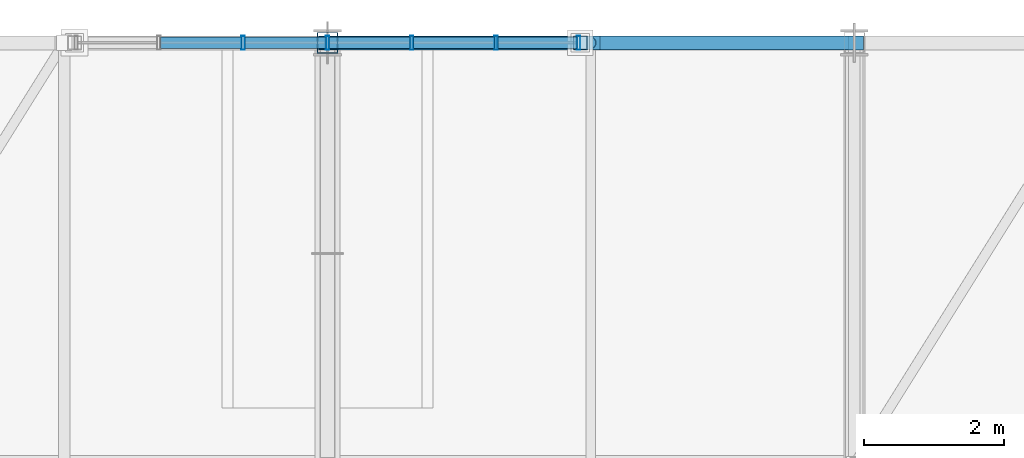
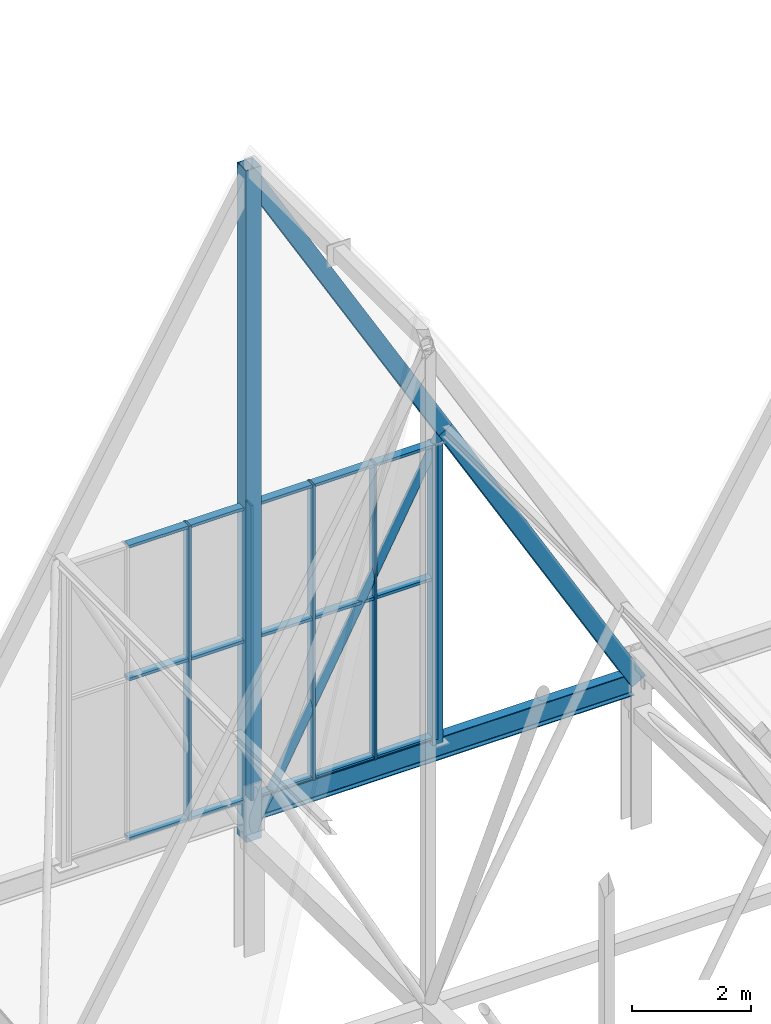
# One storey, part 164 of 324: 25 members, 1 beam, 1 element without a shape of its own.
"""IFC4 building model written with IfcOpenShell, lengths in metres."""

import ifcopenshell
import ifcopenshell.guid

model = None  # the IFC model being written
_history = None  # IfcOwnerHistory: only IFC2X3 demands one
_inside = {}  # id of a spatial element -> (the spatial element, [elements in it])
_under = {}  # id of a project, library or spatial element -> (it, [spatial elements below it])
_declared = {}  # id of a project -> (the project, [libraries it declares])
_typed = {}  # id of a type object -> (the type object, [elements of that type])
_made_of = {}  # id of a material, layer set ... -> (it, [elements and type objects made of it])


def new_model(schema):
    """Start an empty IFC model of exactly this schema.

    Asked for "IFC4X3", IfcOpenShell would pick the latest addendum, in which some entities
    have other attributes; the version numbers below select the first issue.
    IFC2X3 requires an IfcOwnerHistory on every rooted entity: one is made here for all.
    """
    global model, _history
    if schema == "IFC4X3":
        model = ifcopenshell.file(schema_version=(4, 3, 0, 0))
    else:
        model = ifcopenshell.file(schema=schema)
    _inside.clear()
    _under.clear()
    _declared.clear()
    _typed.clear()
    _made_of.clear()
    _history = None
    if model.schema == "IFC2X3":
        org = make("IfcOrganization", Name="unknown")
        user = make(
            "IfcPersonAndOrganization",
            ThePerson=make("IfcPerson", FamilyName="unknown"),
            TheOrganization=org,
        )
        app = make(
            "IfcApplication",
            ApplicationDeveloper=org,
            Version="unknown",
            ApplicationFullName="unknown",
            ApplicationIdentifier="unknown",
        )
        _history = make(
            "IfcOwnerHistory",
            OwningUser=user,
            OwningApplication=app,
            ChangeAction="ADDED",
            CreationDate=0,
        )
    return model


def make(cls, **values):
    """One entity of the class cls with the attributes given. An attribute that is None is left unset."""
    return model.create_entity(
        cls, **{name: value for name, value in values.items() if value is not None}
    )


def rooted(cls, **values):
    """An entity with a GlobalId (a new one), such as an element, a storey or a relation."""
    return make(cls, GlobalId=ifcopenshell.guid.new(), OwnerHistory=_history, **values)


def si_unit(unit_type, name, prefix=None):
    """IfcSIUnit, for example si_unit("LENGTHUNIT", "METRE", prefix="MILLI")."""
    return make("IfcSIUnit", UnitType=unit_type, Prefix=prefix, Name=name)


def assignment(units):
    """IfcUnitAssignment: the units of a project."""
    return None if units is None else make("IfcUnitAssignment", Units=units)


def point(xyz):
    """IfcCartesianPoint."""
    return None if xyz is None else make("IfcCartesianPoint", Coordinates=xyz)


def direction(xyz):
    """IfcDirection."""
    return None if xyz is None else make("IfcDirection", DirectionRatios=xyz)


def frame(location, z_axis=None, x_axis=None):
    """IfcAxis2Placement3D, a coordinate frame: its origin and axes. An axis left out is left unset."""
    return make(
        "IfcAxis2Placement3D",
        Location=point(location),
        Axis=direction(z_axis),
        RefDirection=direction(x_axis),
    )


def frame_2d(location, x_axis=None):
    """IfcAxis2Placement2D, a coordinate frame in the plane: its origin and x axis."""
    return make(
        "IfcAxis2Placement2D", Location=point(location), RefDirection=direction(x_axis)
    )


def origin():
    """The frame at (0, 0, 0) with its axes left unset."""
    return frame((0.0, 0.0, 0.0))


def origin_2d():
    """The frame at (0, 0) in the plane with its x axis left unset."""
    return frame_2d((0.0, 0.0))


def place(relative_to, where):
    """IfcLocalPlacement: puts the frame where relative to a parent placement (None: the world)."""
    return make(
        "IfcLocalPlacement", PlacementRelTo=relative_to, RelativePlacement=where
    )


def context(
    kind, dimensions, precision=None, world=None, true_north=None, identifier=None
):
    """IfcGeometricRepresentationContext, for example the 3D "Model" context."""
    return make(
        "IfcGeometricRepresentationContext",
        ContextIdentifier=identifier,
        ContextType=kind,
        CoordinateSpaceDimension=dimensions,
        Precision=precision,
        WorldCoordinateSystem=world,
        TrueNorth=true_north,
    )


def subcontext(parent, identifier, kind, view, scale=None):
    """IfcGeometricRepresentationSubContext, for example "Body" below "Model"."""
    return make(
        "IfcGeometricRepresentationSubContext",
        ContextIdentifier=identifier,
        ContextType=kind,
        ParentContext=parent,
        TargetScale=scale,
        TargetView=view,
    )


def project(units=None, contexts=None):
    """IfcProject with its units and contexts."""
    return rooted(
        "IfcProject",
        Name="project",
        RepresentationContexts=contexts,
        UnitsInContext=assignment(units),
    )


def spatial(cls, under=None, at=None, **own):
    """A site, building, storey or space (cls), placed at a placement, below another one or the project."""
    s = rooted(cls, ObjectPlacement=at, **own)
    if under is not None:
        _under.setdefault(under.id(), (under, []))[1].append(s)
    return s


def profile(cls, at=None, kind="AREA", **sizes):
    """A parametric profile (cls). Its sizes go by their IFC names, for example OverallWidth=200.0."""
    return make(cls, ProfileType=kind, Position=at, **sizes)


def hollow_rectangle(**sizes):
    """IfcRectangleHollowProfileDef."""
    return profile("IfcRectangleHollowProfileDef", **sizes)


def hollow_circle(**sizes):
    """IfcCircleHollowProfileDef."""
    return profile("IfcCircleHollowProfileDef", **sizes)


def i_section(**sizes):
    """IfcIShapeProfileDef."""
    return profile("IfcIShapeProfileDef", **sizes)


def extrude(swept, where, along, depth):
    """IfcExtrudedAreaSolid: the profile swept, set in the frame where, extruded along a direction by depth."""
    return make(
        "IfcExtrudedAreaSolid",
        SweptArea=swept,
        Position=where,
        ExtrudedDirection=direction(along),
        Depth=depth,
    )


def shape(context_of_items, identifier, shape_type, items):
    """IfcShapeRepresentation: the items that make up one representation, for example the "Body"."""
    return make(
        "IfcShapeRepresentation",
        ContextOfItems=context_of_items,
        RepresentationIdentifier=identifier,
        RepresentationType=shape_type,
        Items=items,
    )


def material(Name=None, Category=None):
    """IfcMaterial."""
    return make("IfcMaterial", Name=Name, Category=Category)


def layer(
    of_material, thickness, ventilated=None, Name=None, Category=None, Priority=None
):
    """IfcMaterialLayer: one layer of a wall or slab, of a material (None: an air gap)."""
    return make(
        "IfcMaterialLayer",
        Material=of_material,
        LayerThickness=thickness,
        IsVentilated=ventilated,
        Name=Name,
        Category=Category,
        Priority=Priority,
    )


def layer_set(layers, Name=None):
    """IfcMaterialLayerSet."""
    return make("IfcMaterialLayerSet", MaterialLayers=layers, LayerSetName=Name)


def material_profile(
    of_material, cross_section, Name=None, Category=None, Priority=None
):
    """IfcMaterialProfile: a cross section and its material."""
    return make(
        "IfcMaterialProfile",
        Name=Name,
        Material=of_material,
        Profile=cross_section,
        Priority=Priority,
        Category=Category,
    )


def profile_set(profiles, Name=None, composite=None):
    """IfcMaterialProfileSet."""
    return make(
        "IfcMaterialProfileSet",
        Name=Name,
        MaterialProfiles=profiles,
        CompositeProfile=composite,
    )


def made_of(thing, what):
    """Note that an element or type object is made of a material, layer set ...; save() writes the relation."""
    if what is not None:
        _made_of.setdefault(what.id(), (what, []))[1].append(thing)
    return thing


def type_object(cls, material=None, **own):
    """A type object (cls), such as IfcWallType, which elements share."""
    return made_of(rooted(cls, **own), material)


def element(
    cls,
    number,
    at=None,
    inside=None,
    cuts=None,
    type_object=None,
    material=None,
    context=None,
    identifier="Body",
    shape_type=None,
    held_by="IfcProductDefinitionShape",
    body=None,
    shapes=None,
    **own,
):
    """One element of the class cls, such as IfcWall. Its Tag is "e" and its number.

    at: its placement. inside: the storey or other place that contains it. cuts: it is an
    opening in that element (IfcRelVoidsElement). A single representation is given by context,
    identifier, shape_type and body (its items); several are given by shapes. held_by: the class
    of the entity that holds the representations. save() writes the other relations.
    """
    e = rooted(cls, Tag="e%d" % number, ObjectPlacement=at, **own)
    if body is not None:
        shapes = [shape(context, identifier, shape_type, body)]
    if shapes is not None:
        e.Representation = make(held_by, Representations=shapes)
    if inside is not None:
        _inside.setdefault(inside.id(), (inside, []))[1].append(e)
    if cuts is not None:
        rooted(
            "IfcRelVoidsElement", RelatingBuildingElement=cuts, RelatedOpeningElement=e
        )
    if type_object is not None:
        _typed.setdefault(type_object.id(), (type_object, []))[1].append(e)
    return made_of(e, material)


def aggregate(whole, parts):
    """IfcRelAggregates: a whole, such as a stair, and the parts it consists of."""
    return rooted("IfcRelAggregates", RelatingObject=whole, RelatedObjects=parts)


def save(model, path):
    """Write the relations noted so far, then the file.

    IfcRelAggregates (storeys below a building ...), IfcRelContainedInSpatialStructure (elements
    in a storey), IfcRelDefinesByType, IfcRelAssociatesMaterial and IfcRelDeclares: one each for
    every whole, place, type object, material and project.
    """
    for whole, parts in _under.values():
        aggregate(whole, parts)
    for where, things in _inside.values():
        rooted(
            "IfcRelContainedInSpatialStructure",
            RelatedElements=things,
            RelatingStructure=where,
        )
    for kind, things in _typed.values():
        rooted("IfcRelDefinesByType", RelatedObjects=things, RelatingType=kind)
    for what, things in _made_of.values():
        rooted("IfcRelAssociatesMaterial", RelatedObjects=things, RelatingMaterial=what)
    for by, libraries in _declared.values():
        rooted("IfcRelDeclares", RelatingContext=by, RelatedDefinitions=libraries)
    model.write(path)


model = new_model("IFC4")

# Units and contexts
model_context = context("Model", 3, precision=1e-05, world=origin(), true_north=direction((0.0, 1.0)))
body_context = subcontext(model_context, "Body", "Model", "MODEL_VIEW")
ifc_project = project(units=[si_unit("LENGTHUNIT", "METRE"), si_unit("AREAUNIT", "SQUARE_METRE"), si_unit("VOLUMEUNIT", "CUBIC_METRE"), si_unit("PLANEANGLEUNIT", "RADIAN"), si_unit("MASSUNIT", "GRAM", prefix="KILO")], contexts=[model_context])

# Site, building, storey
site_placement = place(None, origin())
site = spatial("IfcSite", under=ifc_project, at=site_placement, CompositionType="ELEMENT")
building_placement = place(site_placement, origin())
building = spatial("IfcBuilding", under=site, at=building_placement, Name="Solvenia Promenade Tram Depot", CompositionType="ELEMENT")
storey_placement = place(building_placement, frame((0.0, 0.0, 4.5)))
storey = spatial("IfcBuildingStorey", under=building, at=storey_placement, Name="L01", CompositionType="ELEMENT", Elevation=4.5)

# Curtain wall, members
ifc_material_1 = material(Name="Anodized aluminium AW-6063 T6", Category="aluminium")
ifc_layer = layer(ifc_material_1, 0.14990234375, Name="Anodized aluminium AW-6063 T6", Category="aluminium")
ifc_layer_set = layer_set([ifc_layer], Name="Anodized aluminium AW-6063 T6")
curtain_wall_type = type_object("IfcCurtainWallType", Name="CW-Gable-1200", PredefinedType="NOTDEFINED", material=ifc_layer_set)
curtain_wall_placement = place(storey_placement, origin())
curtain_wall = element("IfcCurtainWall", 1, at=curtain_wall_placement, inside=storey, type_object=curtain_wall_type, Name="North Zigzag Gable 07 Peak Glazing", PredefinedType="NOTDEFINED")
ifc_material_profile_1 = material_profile(ifc_material_1, hollow_rectangle(XDim=0.199951171875, YDim=0.048095703125, WallThickness=0.00390625, at=origin_2d()), Name="ALU-M3", Category="aluminium")
ifc_profile_set_1 = profile_set([ifc_material_profile_1], Name="Anodized aluminium AW-6063 T6")
member_type_1 = type_object("IfcMemberType", Name="CWM-Mullion-3", PredefinedType="MULLION", material=ifc_profile_set_1)
member_1_placement = place(storey_placement, frame((96.300048828125, 126.0, 3.10009765625), z_axis=(0.0, 0.0, 1.0), x_axis=(0.0, 1.0, 0.0)))
member_1 = element("IfcMember", 2, at=member_1_placement, type_object=member_type_1, Name="CW-3 mullion 3", PredefinedType="MULLION", context=body_context, shape_type="SweptSolid", body=[
    extrude(hollow_rectangle(XDim=0.199951171875, YDim=0.048095703125, WallThickness=0.00390625, at=origin_2d()), origin(), (0.0, 0.0, 1.0), 6.0498046875),
])
member_2_placement = place(storey_placement, frame((97.5, 126.0, 3.10009765625), z_axis=(0.0, 0.0, 1.0), x_axis=(0.0, 1.0, 0.0)))
member_2 = element("IfcMember", 3, at=member_2_placement, type_object=member_type_1, Name="CW-3 mullion 4", PredefinedType="MULLION", context=body_context, shape_type="SweptSolid", body=[
    extrude(hollow_rectangle(XDim=0.199951171875, YDim=0.048095703125, WallThickness=0.00390625, at=origin_2d()), origin(), (0.0, 0.0, 1.0), 6.0498046875),
])
member_3_placement = place(storey_placement, frame((98.699951171875, 126.0, 3.10009765625), z_axis=(0.0, 0.0, 1.0), x_axis=(0.0, 1.0, 0.0)))
member_3 = element("IfcMember", 4, at=member_3_placement, type_object=member_type_1, Name="CW-3 mullion 5", PredefinedType="MULLION", context=body_context, shape_type="SweptSolid", body=[
    extrude(hollow_rectangle(XDim=0.199951171875, YDim=0.048095703125, WallThickness=0.00390625, at=origin_2d()), origin(), (0.0, 0.0, 1.0), 6.0498046875),
])
member_4_placement = place(storey_placement, frame((99.89990234375, 126.0, 3.10009765625), z_axis=(0.0, 0.0, 1.0), x_axis=(0.0, 1.0, 0.0)))
member_4 = element("IfcMember", 5, at=member_4_placement, type_object=member_type_1, Name="CW-3 mullion 6", PredefinedType="MULLION", context=body_context, shape_type="SweptSolid", body=[
    extrude(hollow_rectangle(XDim=0.199951171875, YDim=0.048095703125, WallThickness=0.00390625, at=origin_2d()), origin(), (0.0, 0.0, 1.0), 6.0498046875),
])
member_5_placement = place(storey_placement, frame((101.075927734375, 126.0, 3.10009765625), z_axis=(0.0, 0.0, 1.0), x_axis=(0.0, 1.0, 0.0)))
member_5 = element("IfcMember", 6, at=member_5_placement, type_object=member_type_1, Name="CW-3 mullion 7", PredefinedType="MULLION", context=body_context, shape_type="SweptSolid", body=[
    extrude(hollow_rectangle(XDim=0.199951171875, YDim=0.048095703125, WallThickness=0.00390625, at=origin_2d()), origin(), (0.0, 0.0, 1.0), 6.0498046875),
])
ifc_material_profile_2 = material_profile(ifc_material_1, hollow_rectangle(XDim=0.159912109375, YDim=0.05810546875, WallThickness=0.00390625, at=origin_2d()), Name="ALU-T3", Category="aluminium")
ifc_profile_set_2 = profile_set([ifc_material_profile_2], Name="Anodized aluminium AW-6063 T6")
member_type_2 = type_object("IfcMemberType", Name="CWT-Transom-3", PredefinedType="USERDEFINED", material=ifc_profile_set_2)
member_6_placement = place(storey_placement, frame((95.1240234375, 126.0, 3.12890625), z_axis=(1.0, 0.0, 0.0), x_axis=(0.0, 1.0, 0.0)))
member_6 = element("IfcMember", 7, at=member_6_placement, type_object=member_type_2, Name="CW-3 transom 2.1", ObjectType="TRANSOM", PredefinedType="USERDEFINED", context=body_context, shape_type="SweptSolid", body=[
    extrude(hollow_rectangle(XDim=0.159912109375, YDim=0.05810546875, WallThickness=0.00390625, at=origin_2d()), origin(), (0.0, 0.0, 1.0), 1.15185546875),
])
member_7_placement = place(storey_placement, frame((95.1240234375, 126.0, 6.39990234375), z_axis=(1.0, 0.0, 0.0), x_axis=(0.0, 1.0, 0.0)))
member_7 = element("IfcMember", 8, at=member_7_placement, type_object=member_type_2, Name="CW-3 transom 2.2", ObjectType="TRANSOM", PredefinedType="USERDEFINED", context=body_context, shape_type="SweptSolid", body=[
    extrude(hollow_rectangle(XDim=0.159912109375, YDim=0.05810546875, WallThickness=0.00390625, at=origin_2d()), origin(), (0.0, 0.0, 1.0), 1.15185546875),
])
member_8_placement = place(storey_placement, frame((95.1240234375, 126.0, 9.12109375), z_axis=(1.0, 0.0, 0.0), x_axis=(0.0, 1.0, 0.0)))
member_8 = element("IfcMember", 9, at=member_8_placement, type_object=member_type_2, Name="CW-3 transom 2.3", ObjectType="TRANSOM", PredefinedType="USERDEFINED", context=body_context, shape_type="SweptSolid", body=[
    extrude(hollow_rectangle(XDim=0.159912109375, YDim=0.05810546875, WallThickness=0.00390625, at=origin_2d()), origin(), (0.0, 0.0, 1.0), 1.15185546875),
])
member_9_placement = place(storey_placement, frame((96.323974609375, 126.0, 3.12890625), z_axis=(1.0, 0.0, 0.0), x_axis=(0.0, 1.0, 0.0)))
member_9 = element("IfcMember", 10, at=member_9_placement, type_object=member_type_2, Name="CW-3 transom 3.1", ObjectType="TRANSOM", PredefinedType="USERDEFINED", context=body_context, shape_type="SweptSolid", body=[
    extrude(hollow_rectangle(XDim=0.159912109375, YDim=0.05810546875, WallThickness=0.00390625, at=origin_2d()), origin(), (0.0, 0.0, 1.0), 1.152099609375),
])
member_10_placement = place(storey_placement, frame((96.323974609375, 126.0, 6.39990234375), z_axis=(1.0, 0.0, 0.0), x_axis=(0.0, 1.0, 0.0)))
member_10 = element("IfcMember", 11, at=member_10_placement, type_object=member_type_2, Name="CW-3 transom 3.2", ObjectType="TRANSOM", PredefinedType="USERDEFINED", context=body_context, shape_type="SweptSolid", body=[
    extrude(hollow_rectangle(XDim=0.159912109375, YDim=0.05810546875, WallThickness=0.00390625, at=origin_2d()), origin(), (0.0, 0.0, 1.0), 1.152099609375),
])
member_11_placement = place(storey_placement, frame((96.323974609375, 126.0, 9.12109375), z_axis=(1.0, 0.0, 0.0), x_axis=(0.0, 1.0, 0.0)))
member_11 = element("IfcMember", 12, at=member_11_placement, type_object=member_type_2, Name="CW-3 transom 3.3", ObjectType="TRANSOM", PredefinedType="USERDEFINED", context=body_context, shape_type="SweptSolid", body=[
    extrude(hollow_rectangle(XDim=0.159912109375, YDim=0.05810546875, WallThickness=0.00390625, at=origin_2d()), origin(), (0.0, 0.0, 1.0), 1.152099609375),
])
member_12_placement = place(storey_placement, frame((97.52392578125, 126.0, 3.12890625), z_axis=(1.0, 0.0, 0.0), x_axis=(0.0, 1.0, 0.0)))
member_12 = element("IfcMember", 13, at=member_12_placement, type_object=member_type_2, Name="CW-3 transom 4.1", ObjectType="TRANSOM", PredefinedType="USERDEFINED", context=body_context, shape_type="SweptSolid", body=[
    extrude(hollow_rectangle(XDim=0.159912109375, YDim=0.05810546875, WallThickness=0.00390625, at=origin_2d()), origin(), (0.0, 0.0, 1.0), 1.152099609375),
])
member_13_placement = place(storey_placement, frame((97.52392578125, 126.0, 6.39990234375), z_axis=(1.0, 0.0, 0.0), x_axis=(0.0, 1.0, 0.0)))
member_13 = element("IfcMember", 14, at=member_13_placement, type_object=member_type_2, Name="CW-3 transom 4.2", ObjectType="TRANSOM", PredefinedType="USERDEFINED", context=body_context, shape_type="SweptSolid", body=[
    extrude(hollow_rectangle(XDim=0.159912109375, YDim=0.05810546875, WallThickness=0.00390625, at=origin_2d()), origin(), (0.0, 0.0, 1.0), 1.152099609375),
])
member_14_placement = place(storey_placement, frame((97.52392578125, 126.0, 9.12109375), z_axis=(1.0, 0.0, 0.0), x_axis=(0.0, 1.0, 0.0)))
member_14 = element("IfcMember", 15, at=member_14_placement, type_object=member_type_2, Name="CW-3 transom 4.3", ObjectType="TRANSOM", PredefinedType="USERDEFINED", context=body_context, shape_type="SweptSolid", body=[
    extrude(hollow_rectangle(XDim=0.159912109375, YDim=0.05810546875, WallThickness=0.00390625, at=origin_2d()), origin(), (0.0, 0.0, 1.0), 1.152099609375),
])
member_15_placement = place(storey_placement, frame((98.72412109375, 126.0, 3.12890625), z_axis=(1.0, 0.0, 0.0), x_axis=(0.0, 1.0, 0.0)))
member_15 = element("IfcMember", 16, at=member_15_placement, type_object=member_type_2, Name="CW-3 transom 5.1", ObjectType="TRANSOM", PredefinedType="USERDEFINED", context=body_context, shape_type="SweptSolid", body=[
    extrude(hollow_rectangle(XDim=0.159912109375, YDim=0.05810546875, WallThickness=0.00390625, at=origin_2d()), origin(), (0.0, 0.0, 1.0), 1.15185546875),
])
member_16_placement = place(storey_placement, frame((98.72412109375, 126.0, 6.39990234375), z_axis=(1.0, 0.0, 0.0), x_axis=(0.0, 1.0, 0.0)))
member_16 = element("IfcMember", 17, at=member_16_placement, type_object=member_type_2, Name="CW-3 transom 5.2", ObjectType="TRANSOM", PredefinedType="USERDEFINED", context=body_context, shape_type="SweptSolid", body=[
    extrude(hollow_rectangle(XDim=0.159912109375, YDim=0.05810546875, WallThickness=0.00390625, at=origin_2d()), origin(), (0.0, 0.0, 1.0), 1.15185546875),
])
member_17_placement = place(storey_placement, frame((98.72412109375, 126.0, 9.12109375), z_axis=(1.0, 0.0, 0.0), x_axis=(0.0, 1.0, 0.0)))
member_17 = element("IfcMember", 18, at=member_17_placement, type_object=member_type_2, Name="CW-3 transom 5.3", ObjectType="TRANSOM", PredefinedType="USERDEFINED", context=body_context, shape_type="SweptSolid", body=[
    extrude(hollow_rectangle(XDim=0.159912109375, YDim=0.05810546875, WallThickness=0.00390625, at=origin_2d()), origin(), (0.0, 0.0, 1.0), 1.15185546875),
])
member_18_placement = place(storey_placement, frame((99.924072265625, 126.0, 3.12890625), z_axis=(1.0, 0.0, 0.0), x_axis=(0.0, 1.0, 0.0)))
member_18 = element("IfcMember", 19, at=member_18_placement, type_object=member_type_2, Name="CW-3 transom 6.1", ObjectType="TRANSOM", PredefinedType="USERDEFINED", context=body_context, shape_type="SweptSolid", body=[
    extrude(hollow_rectangle(XDim=0.159912109375, YDim=0.05810546875, WallThickness=0.00390625, at=origin_2d()), origin(), (0.0, 0.0, 1.0), 1.1279296875),
])
member_19_placement = place(storey_placement, frame((99.924072265625, 126.0, 6.39990234375), z_axis=(1.0, 0.0, 0.0), x_axis=(0.0, 1.0, 0.0)))
member_19 = element("IfcMember", 20, at=member_19_placement, type_object=member_type_2, Name="CW-3 transom 6.2", ObjectType="TRANSOM", PredefinedType="USERDEFINED", context=body_context, shape_type="SweptSolid", body=[
    extrude(hollow_rectangle(XDim=0.159912109375, YDim=0.05810546875, WallThickness=0.00390625, at=origin_2d()), origin(), (0.0, 0.0, 1.0), 1.1279296875),
])
member_20_placement = place(storey_placement, frame((99.924072265625, 126.0, 9.12109375), z_axis=(1.0, 0.0, 0.0), x_axis=(0.0, 1.0, 0.0)))
member_20 = element("IfcMember", 21, at=member_20_placement, type_object=member_type_2, Name="CW-3 transom 6.3", ObjectType="TRANSOM", PredefinedType="USERDEFINED", context=body_context, shape_type="SweptSolid", body=[
    extrude(hollow_rectangle(XDim=0.159912109375, YDim=0.05810546875, WallThickness=0.00390625, at=origin_2d()), origin(), (0.0, 0.0, 1.0), 1.1279296875),
])
aggregate(curtain_wall, [member_1, member_2, member_3, member_4, member_5, member_6, member_7, member_8, member_9, member_10, member_11, member_12, member_13, member_14, member_15, member_16, member_17, member_18, member_19, member_20])

# Members
ifc_material_2 = material(Name="Structural steel ASTM A500 Gr. C", Category="steel")
ifc_material_profile_3 = material_profile(ifc_material_2, hollow_rectangle(XDim=0.199951171875, YDim=0.300048828125, WallThickness=0.012451171875, at=origin_2d()), Name="HSS300x200x12.5", Category="steel")
ifc_profile_set_3 = profile_set([ifc_material_profile_3], Name="Structural steel ASTM A500 Gr. C")
member_type_3 = type_object("IfcMemberType", Name="Chord-HSS300x200x12", PredefinedType="CHORD", material=ifc_profile_set_3)
for number, where, z_axis, x_axis, name in (
    (22, (97.5, 126.0, 15.859130859375), (0.501516268578, 0.0, -0.865148214095), (0.0, 1.0, 0.0), "Zigzag Gable 07 East Upper Rafter"),
    (23, (101.25, 126.0, 9.39013671875), (0.501516268578, 0.0, -0.865148214095), (0.0, 1.0, 0.0), "Zigzag Gable 07 East Lower Rafter"),
):
    element("IfcMember", number, at=place(storey_placement, frame(where, z_axis=z_axis, x_axis=x_axis)), inside=storey, type_object=member_type_3, Name=name, PredefinedType="CHORD", context=body_context, shape_type="SweptSolid", body=[
        extrude(hollow_rectangle(XDim=0.199951171875, YDim=0.300048828125, WallThickness=0.012451171875, at=origin_2d()), origin(), (0.0, 0.0, 1.0), 7.477294921875),
    ])
ifc_material_profile_4 = material_profile(ifc_material_2, hollow_rectangle(XDim=0.300048828125, YDim=0.300048828125, WallThickness=0.012451171875, at=origin_2d()), Name="HSS300x300x12.5", Category="steel")
ifc_profile_set_4 = profile_set([ifc_material_profile_4], Name="Structural steel ASTM A500 Gr. C")
member_type_4 = type_object("IfcMemberType", Name="Chord-HSS300x300x12", PredefinedType="CHORD", material=ifc_profile_set_4)
member_21_placement = place(storey_placement, frame((97.5, 126.0, 2.320068359375), z_axis=(0.0, 0.0, 1.0), x_axis=(1.0, 0.0, 0.0)))
element("IfcMember", 24, at=member_21_placement, inside=storey, type_object=member_type_4, Name="Arched Truss T14 N End Post", PredefinedType="CHORD", context=body_context, shape_type="SweptSolid", body=[
    extrude(hollow_rectangle(XDim=0.300048828125, YDim=0.300048828125, WallThickness=0.012451171875, at=origin_2d()), origin(), (0.0, 0.0, 1.0), 13.767822265625),
])
ifc_material_profile_5 = material_profile(ifc_material_2, hollow_rectangle(XDim=0.199951171875, YDim=0.199951171875, WallThickness=0.010009765625, at=origin_2d()), Name="HSS200x200x10", Category="steel")
ifc_profile_set_5 = profile_set([ifc_material_profile_5], Name="Structural steel ASTM A500 Gr. C")
member_type_5 = type_object("IfcMemberType", Name="Post-HSS200x200x10", PredefinedType="POST", material=ifc_profile_set_5)
member_22_placement = place(storey_placement, frame((101.10009765625, 126.0, 3.0), z_axis=(0.0, 0.0, 1.0), x_axis=(1.0, 0.0, 0.0)))
element("IfcMember", 25, at=member_22_placement, inside=storey, type_object=member_type_5, Name="Gable Curtain-Wall Steel Jamb Post 026", PredefinedType="POST", context=body_context, shape_type="SweptSolid", body=[
    extrude(hollow_rectangle(XDim=0.199951171875, YDim=0.199951171875, WallThickness=0.010009765625, at=origin_2d()), origin(), (0.0, 0.0, 1.0), 6.14990234375),
])

# Beam
ifc_material_3 = material(Name="Structural steel ASTM A992 Gr. 50", Category="steel")
ifc_material_profile_6 = material_profile(ifc_material_3, i_section(OverallWidth=0.19091796875, OverallDepth=0.4599609375, WebThickness=0.010009765625, FlangeThickness=0.01611328125, FilletRadius=0.012939453125, at=origin_2d()), Name="W460x82", Category="steel")
ifc_profile_set_6 = profile_set([ifc_material_profile_6], Name="Structural steel ASTM A992 Gr. 50")
beam_type = type_object("IfcBeamType", Name="Spandrel-W460x82", PredefinedType="SPANDREL", material=ifc_profile_set_6)
beam_placement = place(storey_placement, frame((97.5849609375, 126.0, 2.889892578125), z_axis=(1.0, 0.0, 0.0), x_axis=(0.0, 1.0, 0.0)))
element("IfcBeam", 26, at=beam_placement, inside=storey, type_object=beam_type, Name="North Shed Eave Girder BM-L01-0981", PredefinedType="SPANDREL", context=body_context, shape_type="SweptSolid", body=[
    extrude(i_section(OverallWidth=0.19091796875, OverallDepth=0.4599609375, WebThickness=0.010009765625, FlangeThickness=0.01611328125, FilletRadius=0.012939453125, at=origin_2d()), origin(), (0.0, 0.0, 1.0), 7.330078125),
])

# Member
ifc_material_profile_7 = material_profile(ifc_material_2, hollow_circle(Radius=0.084228515625, WallThickness=0.008056640625, at=origin_2d()), Name="CHS168.3x8", Category="steel")
ifc_profile_set_7 = profile_set([ifc_material_profile_7], Name="Structural steel ASTM A500 Gr. C")
member_type_6 = type_object("IfcMemberType", Name="WebDiag-CHS168x8", PredefinedType="BRACE", material=ifc_profile_set_7)
member_23_placement = place(storey_placement, frame((97.5, 126.0, 2.320068359375), z_axis=(0.468572976528, 0.0, 0.883424793442), x_axis=(0.0, 1.0, 0.0)))
element("IfcMember", 27, at=member_23_placement, inside=storey, type_object=member_type_6, Name="Zigzag Gable 07 East Knee Strut", PredefinedType="BRACE", context=body_context, shape_type="SweptSolid", body=[
    extrude(hollow_circle(Radius=0.084228515625, WallThickness=0.008056640625, at=origin_2d()), origin(), (0.0, 0.0, 1.0), 8.0029296875),
])

save(model, "model.ifc")
